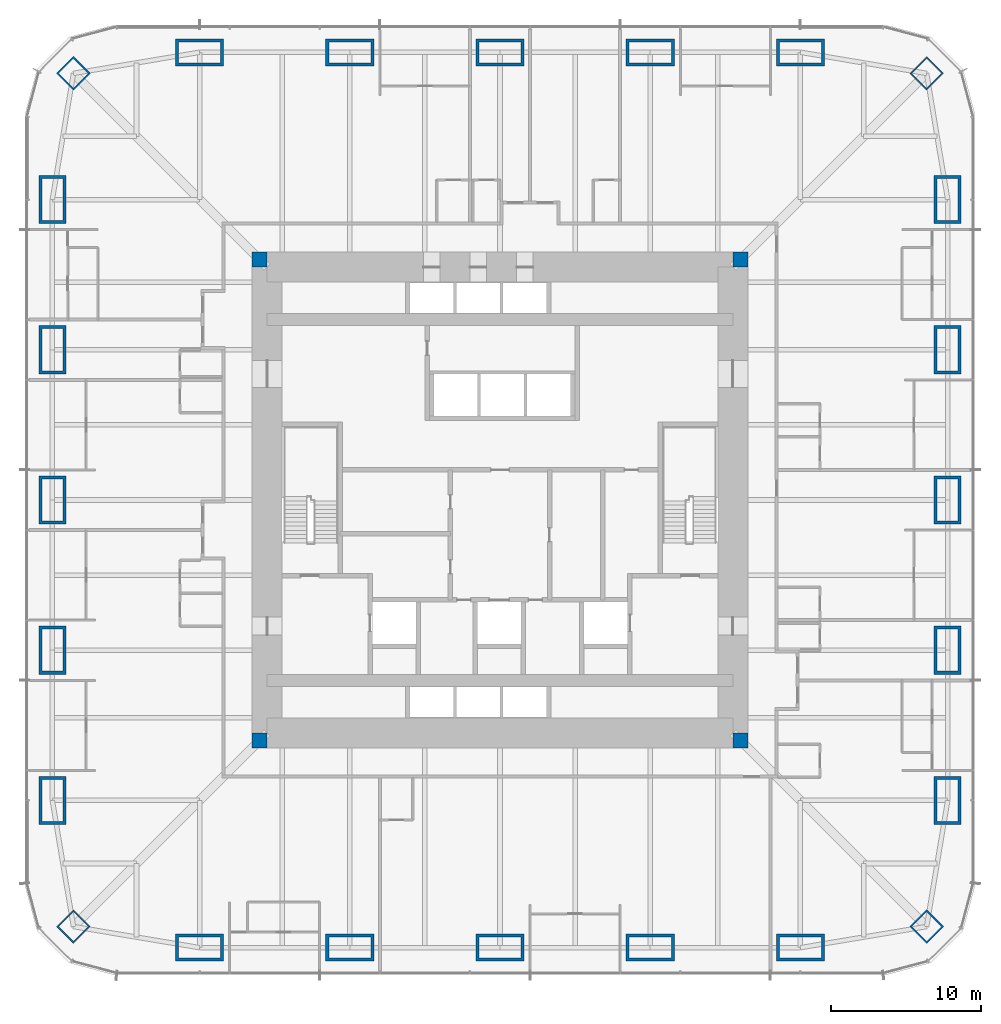
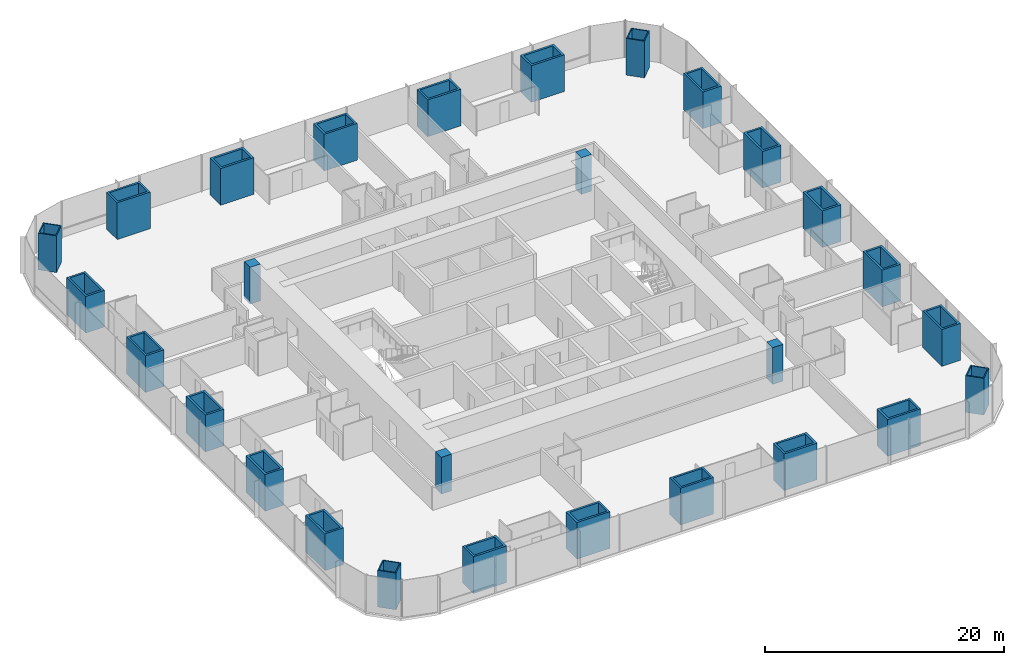
# One storey, part 1 of 17: 28 columns.
"""IFC4 building model written with IfcOpenShell, lengths in metres."""

import ifcopenshell
import ifcopenshell.guid

model = None  # the IFC model being written
_history = None  # IfcOwnerHistory: only IFC2X3 demands one
_inside = {}  # id of a spatial element -> (the spatial element, [elements in it])
_under = {}  # id of a project, library or spatial element -> (it, [spatial elements below it])
_declared = {}  # id of a project -> (the project, [libraries it declares])
_typed = {}  # id of a type object -> (the type object, [elements of that type])
_made_of = {}  # id of a material, layer set ... -> (it, [elements and type objects made of it])


def new_model(schema):
    """Start an empty IFC model of exactly this schema.

    Asked for "IFC4X3", IfcOpenShell would pick the latest addendum, in which some entities
    have other attributes; the version numbers below select the first issue.
    IFC2X3 requires an IfcOwnerHistory on every rooted entity: one is made here for all.
    """
    global model, _history
    if schema == "IFC4X3":
        model = ifcopenshell.file(schema_version=(4, 3, 0, 0))
    else:
        model = ifcopenshell.file(schema=schema)
    _inside.clear()
    _under.clear()
    _declared.clear()
    _typed.clear()
    _made_of.clear()
    _history = None
    if model.schema == "IFC2X3":
        org = make("IfcOrganization", Name="unknown")
        user = make(
            "IfcPersonAndOrganization",
            ThePerson=make("IfcPerson", FamilyName="unknown"),
            TheOrganization=org,
        )
        app = make(
            "IfcApplication",
            ApplicationDeveloper=org,
            Version="unknown",
            ApplicationFullName="unknown",
            ApplicationIdentifier="unknown",
        )
        _history = make(
            "IfcOwnerHistory",
            OwningUser=user,
            OwningApplication=app,
            ChangeAction="ADDED",
            CreationDate=0,
        )
    return model


def make(cls, **values):
    """One entity of the class cls with the attributes given. An attribute that is None is left unset."""
    return model.create_entity(
        cls, **{name: value for name, value in values.items() if value is not None}
    )


def rooted(cls, **values):
    """An entity with a GlobalId (a new one), such as an element, a storey or a relation."""
    return make(cls, GlobalId=ifcopenshell.guid.new(), OwnerHistory=_history, **values)


def si_unit(unit_type, name, prefix=None):
    """IfcSIUnit, for example si_unit("LENGTHUNIT", "METRE", prefix="MILLI")."""
    return make("IfcSIUnit", UnitType=unit_type, Prefix=prefix, Name=name)


def assignment(units):
    """IfcUnitAssignment: the units of a project."""
    return None if units is None else make("IfcUnitAssignment", Units=units)


def point(xyz):
    """IfcCartesianPoint."""
    return None if xyz is None else make("IfcCartesianPoint", Coordinates=xyz)


def direction(xyz):
    """IfcDirection."""
    return None if xyz is None else make("IfcDirection", DirectionRatios=xyz)


def frame(location, z_axis=None, x_axis=None):
    """IfcAxis2Placement3D, a coordinate frame: its origin and axes. An axis left out is left unset."""
    return make(
        "IfcAxis2Placement3D",
        Location=point(location),
        Axis=direction(z_axis),
        RefDirection=direction(x_axis),
    )


def frame_2d(location, x_axis=None):
    """IfcAxis2Placement2D, a coordinate frame in the plane: its origin and x axis."""
    return make(
        "IfcAxis2Placement2D", Location=point(location), RefDirection=direction(x_axis)
    )


def origin():
    """The frame at (0, 0, 0) with its axes left unset."""
    return frame((0.0, 0.0, 0.0))


def origin_2d():
    """The frame at (0, 0) in the plane with its x axis left unset."""
    return frame_2d((0.0, 0.0))


def place(relative_to, where):
    """IfcLocalPlacement: puts the frame where relative to a parent placement (None: the world)."""
    return make(
        "IfcLocalPlacement", PlacementRelTo=relative_to, RelativePlacement=where
    )


def context(
    kind, dimensions, precision=None, world=None, true_north=None, identifier=None
):
    """IfcGeometricRepresentationContext, for example the 3D "Model" context."""
    return make(
        "IfcGeometricRepresentationContext",
        ContextIdentifier=identifier,
        ContextType=kind,
        CoordinateSpaceDimension=dimensions,
        Precision=precision,
        WorldCoordinateSystem=world,
        TrueNorth=true_north,
    )


def subcontext(parent, identifier, kind, view, scale=None):
    """IfcGeometricRepresentationSubContext, for example "Body" below "Model"."""
    return make(
        "IfcGeometricRepresentationSubContext",
        ContextIdentifier=identifier,
        ContextType=kind,
        ParentContext=parent,
        TargetScale=scale,
        TargetView=view,
    )


def project(units=None, contexts=None):
    """IfcProject with its units and contexts."""
    return rooted(
        "IfcProject",
        Name="project",
        RepresentationContexts=contexts,
        UnitsInContext=assignment(units),
    )


def spatial(cls, under=None, at=None, **own):
    """A site, building, storey or space (cls), placed at a placement, below another one or the project."""
    s = rooted(cls, ObjectPlacement=at, **own)
    if under is not None:
        _under.setdefault(under.id(), (under, []))[1].append(s)
    return s


def profile(cls, at=None, kind="AREA", **sizes):
    """A parametric profile (cls). Its sizes go by their IFC names, for example OverallWidth=200.0."""
    return make(cls, ProfileType=kind, Position=at, **sizes)


def rectangle(**sizes):
    """IfcRectangleProfileDef."""
    return profile("IfcRectangleProfileDef", **sizes)


def hollow_rectangle(**sizes):
    """IfcRectangleHollowProfileDef."""
    return profile("IfcRectangleHollowProfileDef", **sizes)


def extrude(swept, where, along, depth):
    """IfcExtrudedAreaSolid: the profile swept, set in the frame where, extruded along a direction by depth."""
    return make(
        "IfcExtrudedAreaSolid",
        SweptArea=swept,
        Position=where,
        ExtrudedDirection=direction(along),
        Depth=depth,
    )


def shape(context_of_items, identifier, shape_type, items):
    """IfcShapeRepresentation: the items that make up one representation, for example the "Body"."""
    return make(
        "IfcShapeRepresentation",
        ContextOfItems=context_of_items,
        RepresentationIdentifier=identifier,
        RepresentationType=shape_type,
        Items=items,
    )


def material(Name=None, Category=None):
    """IfcMaterial."""
    return make("IfcMaterial", Name=Name, Category=Category)


def material_profile(
    of_material, cross_section, Name=None, Category=None, Priority=None
):
    """IfcMaterialProfile: a cross section and its material."""
    return make(
        "IfcMaterialProfile",
        Name=Name,
        Material=of_material,
        Profile=cross_section,
        Priority=Priority,
        Category=Category,
    )


def profile_set(profiles, Name=None, composite=None):
    """IfcMaterialProfileSet."""
    return make(
        "IfcMaterialProfileSet",
        Name=Name,
        MaterialProfiles=profiles,
        CompositeProfile=composite,
    )


def made_of(thing, what):
    """Note that an element or type object is made of a material, layer set ...; save() writes the relation."""
    if what is not None:
        _made_of.setdefault(what.id(), (what, []))[1].append(thing)
    return thing


def type_object(cls, material=None, **own):
    """A type object (cls), such as IfcWallType, which elements share."""
    return made_of(rooted(cls, **own), material)


def element(
    cls,
    number,
    at=None,
    inside=None,
    cuts=None,
    type_object=None,
    material=None,
    context=None,
    identifier="Body",
    shape_type=None,
    held_by="IfcProductDefinitionShape",
    body=None,
    shapes=None,
    **own,
):
    """One element of the class cls, such as IfcWall. Its Tag is "e" and its number.

    at: its placement. inside: the storey or other place that contains it. cuts: it is an
    opening in that element (IfcRelVoidsElement). A single representation is given by context,
    identifier, shape_type and body (its items); several are given by shapes. held_by: the class
    of the entity that holds the representations. save() writes the other relations.
    """
    e = rooted(cls, Tag="e%d" % number, ObjectPlacement=at, **own)
    if body is not None:
        shapes = [shape(context, identifier, shape_type, body)]
    if shapes is not None:
        e.Representation = make(held_by, Representations=shapes)
    if inside is not None:
        _inside.setdefault(inside.id(), (inside, []))[1].append(e)
    if cuts is not None:
        rooted(
            "IfcRelVoidsElement", RelatingBuildingElement=cuts, RelatedOpeningElement=e
        )
    if type_object is not None:
        _typed.setdefault(type_object.id(), (type_object, []))[1].append(e)
    return made_of(e, material)


def aggregate(whole, parts):
    """IfcRelAggregates: a whole, such as a stair, and the parts it consists of."""
    return rooted("IfcRelAggregates", RelatingObject=whole, RelatedObjects=parts)


def save(model, path):
    """Write the relations noted so far, then the file.

    IfcRelAggregates (storeys below a building ...), IfcRelContainedInSpatialStructure (elements
    in a storey), IfcRelDefinesByType, IfcRelAssociatesMaterial and IfcRelDeclares: one each for
    every whole, place, type object, material and project.
    """
    for whole, parts in _under.values():
        aggregate(whole, parts)
    for where, things in _inside.values():
        rooted(
            "IfcRelContainedInSpatialStructure",
            RelatedElements=things,
            RelatingStructure=where,
        )
    for kind, things in _typed.values():
        rooted("IfcRelDefinesByType", RelatedObjects=things, RelatingType=kind)
    for what, things in _made_of.values():
        rooted("IfcRelAssociatesMaterial", RelatedObjects=things, RelatingMaterial=what)
    for by, libraries in _declared.values():
        rooted("IfcRelDeclares", RelatingContext=by, RelatedDefinitions=libraries)
    model.write(path)


model = new_model("IFC4")

# Units and contexts
model_context = context("Model", 3, precision=1e-05, world=origin(), true_north=direction((0.0, 1.0)))
body_context = subcontext(model_context, "Body", "Model", "MODEL_VIEW")
ifc_project = project(units=[si_unit("LENGTHUNIT", "METRE"), si_unit("AREAUNIT", "SQUARE_METRE"), si_unit("VOLUMEUNIT", "CUBIC_METRE"), si_unit("PLANEANGLEUNIT", "RADIAN"), si_unit("MASSUNIT", "GRAM", prefix="KILO")], contexts=[model_context])

# Site, building, storey
site_placement = place(None, origin())
site = spatial("IfcSite", under=ifc_project, at=site_placement, CompositionType="ELEMENT")
building_placement = place(site_placement, origin())
building = spatial("IfcBuilding", under=site, at=building_placement, Name="Khuree Lantern Residences", CompositionType="ELEMENT")
storey_placement = place(building_placement, frame((0.0, 0.0, 51.0)))
storey = spatial("IfcBuildingStorey", under=building, at=storey_placement, Name="L12", CompositionType="ELEMENT", Elevation=51.0)

# Columns
ifc_material_1 = material(Name="Steel S355 CFT welded box", Category="steel")
ifc_material_profile_1 = material_profile(ifc_material_1, hollow_rectangle(XDim=1.60009765625, YDim=1.60009765625, WallThickness=0.10009765625, at=origin_2d()), Name="WELDED BOX 1600X1600X100")
ifc_profile_set_1 = profile_set([ifc_material_profile_1], Name="Steel S355 CFT welded box")
column_type_1 = type_object("IfcColumnType", Name="CC1600 PERIMETER CORNER MEGA COLUMN WELDED BOX 1600X1600X100", PredefinedType="COLUMN", material=ifc_profile_set_1)
for number, where, z_axis, x_axis, name in (
    (1, (28.39404296875, 28.39404296875, 0.0), (0.0, 0.0, 1.0), (0.707106781187, -0.707106781187, 0.0), "Perimeter column NE"),
    (2, (28.39404296875, -28.39404296875, 0.0), (0.0, 0.0, 1.0), (0.707106781187, 0.707106781187, 0.0), "Perimeter column SE"),
    (3, (-28.39404296875, -28.39404296875, 0.0), (0.0, 0.0, 1.0), (0.707106781187, -0.707106781187, 0.0), "Perimeter column SW"),
    (4, (-28.39404296875, 28.39404296875, 0.0), (0.0, 0.0, 1.0), (0.707106781187, 0.707106781187, 0.0), "Perimeter column NW"),
):
    element("IfcColumn", number, at=place(storey_placement, frame(where, z_axis=z_axis, x_axis=x_axis)), inside=storey, type_object=column_type_1, Name=name, PredefinedType="COLUMN", context=body_context, shape_type="SweptSolid", body=[
        extrude(hollow_rectangle(XDim=1.60009765625, YDim=1.60009765625, WallThickness=0.10009765625, at=origin_2d()), origin(), (0.0, 0.0, 1.0), 3.75),
    ])
ifc_material_2 = material(Name="Concrete C70/85", Category="concrete")
ifc_material_profile_2 = material_profile(ifc_material_2, rectangle(XDim=1.0, YDim=1.0, at=origin_2d()), Name="RC 1000X1000")
ifc_profile_set_2 = profile_set([ifc_material_profile_2], Name="Concrete C70/85")
column_type_2 = type_object("IfcColumnType", Name="CP1000-C70 CORE CORNER PIER C70 RC 1000X1000", PredefinedType="COLUMN", material=ifc_profile_set_2)
for number, where, z_axis, x_axis, name in (
    (5, (16.0, 16.0, -0.25), (0.0, 0.0, 1.0), (1.0, 0.0, 0.0), "Core corner pier NE"),
    (6, (-16.0, 16.0, -0.25), (0.0, 0.0, 1.0), (1.0, 0.0, 0.0), "Core corner pier NW"),
    (7, (-16.0, -16.0, -0.25), (0.0, 0.0, 1.0), (1.0, 0.0, 0.0), "Core corner pier SW"),
    (8, (16.0, -16.0, -0.25), (0.0, 0.0, 1.0), (1.0, 0.0, 0.0), "Core corner pier SE"),
):
    element("IfcColumn", number, at=place(storey_placement, frame(where, z_axis=z_axis, x_axis=x_axis)), inside=storey, type_object=column_type_2, Name=name, PredefinedType="COLUMN", context=body_context, shape_type="SweptSolid", body=[
        extrude(rectangle(XDim=1.0, YDim=1.0, at=origin_2d()), origin(), (0.0, 0.0, 1.0), 3.75),
    ])
ifc_material_profile_3 = material_profile(ifc_material_1, hollow_rectangle(XDim=3.199951171875, YDim=1.800048828125, WallThickness=0.199951171875, at=origin_2d()), Name="WELDED BOX 3200X1800X200")
ifc_profile_set_3 = profile_set([ifc_material_profile_3], Name="Steel S355 CFT welded box")
column_type_3 = type_object("IfcColumnType", Name="SC1 PERIMETER MEGA COLUMN WELDED BOX 3200X1800X200", PredefinedType="COLUMN", material=ifc_profile_set_3)
for number, where, z_axis, x_axis, name in (
    (9, (-20.0, 29.800048828125, 0.0), (0.0, 0.0, 1.0), (1.0, 0.0, 0.0), "Perimeter column N1"),
    (10, (-10.0, 29.800048828125, 0.0), (0.0, 0.0, 1.0), (1.0, 0.0, 0.0), "Perimeter column N2"),
    (11, (0.0, 29.800048828125, 0.0), (0.0, 0.0, 1.0), (1.0, 0.0, 0.0), "Perimeter column N3"),
    (12, (10.0, 29.800048828125, 0.0), (0.0, 0.0, 1.0), (1.0, 0.0, 0.0), "Perimeter column N4"),
    (13, (20.0, 29.800048828125, 0.0), (0.0, 0.0, 1.0), (1.0, 0.0, 0.0), "Perimeter column N5"),
    (14, (29.800048828125, 20.0, 0.0), (0.0, 0.0, 1.0), (0.0, 1.0, 0.0), "Perimeter column E1"),
    (15, (29.800048828125, 10.0, 0.0), (0.0, 0.0, 1.0), (0.0, 1.0, 0.0), "Perimeter column E2"),
    (16, (29.800048828125, 0.0, 0.0), (0.0, 0.0, 1.0), (0.0, 1.0, 0.0), "Perimeter column E3"),
    (17, (29.800048828125, -10.0, 0.0), (0.0, 0.0, 1.0), (0.0, 1.0, 0.0), "Perimeter column E4"),
    (18, (29.800048828125, -20.0, 0.0), (0.0, 0.0, 1.0), (0.0, 1.0, 0.0), "Perimeter column E5"),
    (19, (20.0, -29.800048828125, 0.0), (0.0, 0.0, 1.0), (1.0, 0.0, 0.0), "Perimeter column S1"),
    (20, (10.0, -29.800048828125, 0.0), (0.0, 0.0, 1.0), (1.0, 0.0, 0.0), "Perimeter column S2"),
    (21, (0.0, -29.800048828125, 0.0), (0.0, 0.0, 1.0), (1.0, 0.0, 0.0), "Perimeter column S3"),
    (22, (-10.0, -29.800048828125, 0.0), (0.0, 0.0, 1.0), (1.0, 0.0, 0.0), "Perimeter column S4"),
    (23, (-20.0, -29.800048828125, 0.0), (0.0, 0.0, 1.0), (1.0, 0.0, 0.0), "Perimeter column S5"),
    (24, (-29.800048828125, -20.0, 0.0), (0.0, 0.0, 1.0), (0.0, 1.0, 0.0), "Perimeter column W1"),
    (25, (-29.800048828125, -10.0, 0.0), (0.0, 0.0, 1.0), (0.0, 1.0, 0.0), "Perimeter column W2"),
    (26, (-29.800048828125, 0.0, 0.0), (0.0, 0.0, 1.0), (0.0, 1.0, 0.0), "Perimeter column W3"),
    (27, (-29.800048828125, 10.0, 0.0), (0.0, 0.0, 1.0), (0.0, 1.0, 0.0), "Perimeter column W4"),
    (28, (-29.800048828125, 20.0, 0.0), (0.0, 0.0, 1.0), (0.0, 1.0, 0.0), "Perimeter column W5"),
):
    element("IfcColumn", number, at=place(storey_placement, frame(where, z_axis=z_axis, x_axis=x_axis)), inside=storey, type_object=column_type_3, Name=name, PredefinedType="COLUMN", context=body_context, shape_type="SweptSolid", body=[
        extrude(hollow_rectangle(XDim=3.199951171875, YDim=1.800048828125, WallThickness=0.199951171875, at=origin_2d()), origin(), (0.0, 0.0, 1.0), 3.75),
    ])

save(model, "model.ifc")
